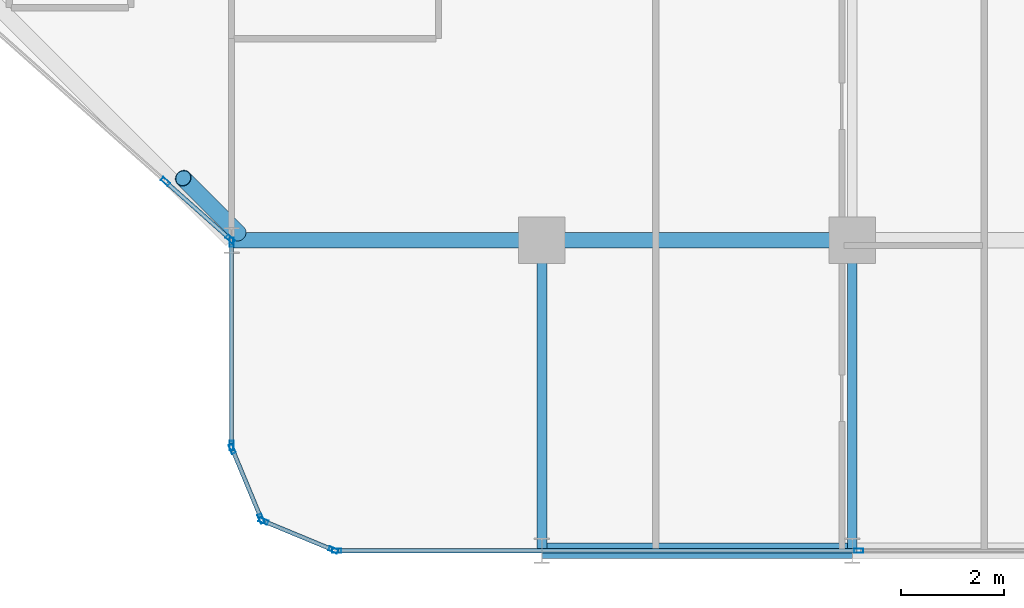
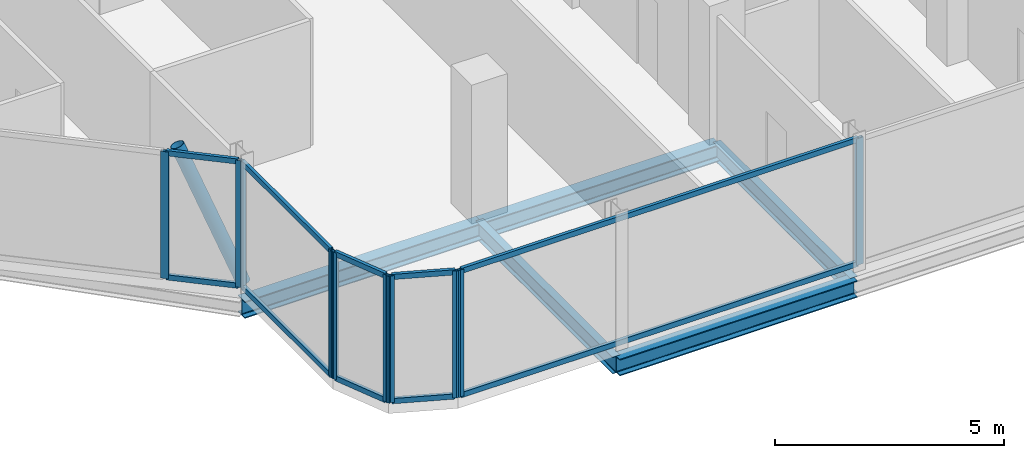
# One storey, part 5 of 32: 21 members, 5 beams, 5 elements without a shape of their own.
"""IFC4 building model written with IfcOpenShell, lengths in metres."""

from ifc_helpers import new_model, si_unit, direction, frame, origin, origin_2d, place, context, subcontext, project, spatial, hollow_rectangle, hollow_circle, i_section, extrude, material, layer, layer_set, material_profile, profile_set, type_object, element, aggregate, save


model = new_model("IFC4")

# Units and contexts
model_context = context("Model", 3, precision=1e-05, world=origin(), true_north=direction((0.0, 1.0)))
body_context = subcontext(model_context, "Body", "Model", "MODEL_VIEW")
ifc_project = project(units=[si_unit("LENGTHUNIT", "METRE"), si_unit("AREAUNIT", "SQUARE_METRE"), si_unit("VOLUMEUNIT", "CUBIC_METRE"), si_unit("PLANEANGLEUNIT", "RADIAN"), si_unit("MASSUNIT", "GRAM", prefix="KILO")], contexts=[model_context])

# Site, building, storey
site_placement = place(None, origin())
site = spatial("IfcSite", under=ifc_project, at=site_placement, CompositionType="ELEMENT")
building_placement = place(site_placement, origin())
building = spatial("IfcBuilding", under=site, at=building_placement, Name="Keshet Zoharim Tower", CompositionType="ELEMENT")
storey_placement = place(building_placement, frame((0.0, 0.0, 152.0)))
storey = spatial("IfcBuildingStorey", under=building, at=storey_placement, Name="L37", CompositionType="ELEMENT", Elevation=152.0)

# Beams
ifc_material_1 = material(Name="Steel S355", Category="steel")
ifc_material_profile_1 = material_profile(ifc_material_1, i_section(OverallWidth=0.18994140625, OverallDepth=0.449951171875, WebThickness=0.009521484375, FlangeThickness=0.0146484375, FilletRadius=0.02099609375, at=origin_2d()), Name="IPE450")
ifc_profile_set_1 = profile_set([ifc_material_profile_1], Name="Steel S355")
beam_type_1 = type_object("IfcBeamType", Name="BM-PRI-IP450", PredefinedType="BEAM", material=ifc_profile_set_1)
for number, where, z_axis, x_axis, name in (
    (1, (27.0, 0.699951171875, -0.5400390625), (0.0, 1.0, 0.0), (-1.0, 0.0, 0.0), "L37 Primary Girder Y-004"),
    (2, (33.0, 0.699951171875, -0.5400390625), (0.0, 1.0, 0.0), (-1.0, 0.0, 0.0), "L37 Primary Girder Y-005"),
):
    element("IfcBeam", number, at=place(storey_placement, frame(where, z_axis=z_axis, x_axis=x_axis)), inside=storey, type_object=beam_type_1, Name=name, PredefinedType="BEAM", context=body_context, shape_type="SweptSolid", body=[
        extrude(i_section(OverallWidth=0.18994140625, OverallDepth=0.449951171875, WebThickness=0.009521484375, FlangeThickness=0.0146484375, FilletRadius=0.02099609375, at=origin_2d()), origin(), (0.0, 0.0, 1.0), 6.0),
    ])
ifc_material_profile_2 = material_profile(ifc_material_1, i_section(OverallWidth=0.300048828125, OverallDepth=0.449951171875, WebThickness=0.013916015625, FlangeThickness=0.02587890625, FilletRadius=0.027099609375, at=origin_2d()), Name="HEB450")
ifc_profile_set_2 = profile_set([ifc_material_profile_2], Name="Steel S355")
beam_type_2 = type_object("IfcBeamType", Name="BM-WEB-HB450", PredefinedType="BEAM", material=ifc_profile_set_2)
for number, where, z_axis, x_axis, name in (
    (3, (27.0, 0.699951171875, -0.5400390625), (1.0, 0.0, 0.0), (0.0, 1.0, 0.0), "L37 Primary Girder X-001"),
    (4, (21.0, 6.699951171875, -0.5400390625), (1.0, 0.0, 0.0), (0.0, 1.0, 0.0), "L37 Primary Girder X-005"),
    (5, (27.0, 6.699951171875, -0.5400390625), (1.0, 0.0, 0.0), (0.0, 1.0, 0.0), "L37 Primary Girder X-006"),
):
    element("IfcBeam", number, at=place(storey_placement, frame(where, z_axis=z_axis, x_axis=x_axis)), inside=storey, type_object=beam_type_2, Name=name, PredefinedType="BEAM", context=body_context, shape_type="SweptSolid", body=[
        extrude(i_section(OverallWidth=0.300048828125, OverallDepth=0.449951171875, WebThickness=0.013916015625, FlangeThickness=0.02587890625, FilletRadius=0.027099609375, at=origin_2d()), origin(), (0.0, 0.0, 1.0), 6.0),
    ])

# Curtain wall, members
ifc_material_2 = material(Name="Aluminium 6063-T6", Category="aluminium")
ifc_layer = layer(ifc_material_2, 0.159912109375)
ifc_layer_set = layer_set([ifc_layer], Name="Aluminium 6063-T6")
curtain_wall_type = type_object("IfcCurtainWallType", Name="CW-SYS-03", PredefinedType="NOTDEFINED", material=ifc_layer_set)
curtain_wall_1_placement = place(storey_placement, origin())
curtain_wall_1 = element("IfcCurtainWall", 6, at=curtain_wall_1_placement, inside=storey, type_object=curtain_wall_type, Name="L37 Unitised Curtain Wall 03 Part 3", PredefinedType="NOTDEFINED")
ifc_material_profile_3 = material_profile(ifc_material_2, hollow_rectangle(XDim=0.080078125, YDim=0.179931640625, WallThickness=0.00439453125, at=origin_2d()), Name="MUL-80x180")
ifc_profile_set_3 = profile_set([ifc_material_profile_3], Name="Aluminium 6063-T6")
member_type_1 = type_object("IfcMemberType", Name="CWM-M18", PredefinedType="MULLION", material=ifc_profile_set_3)
member_1_placement = place(storey_placement, frame((33.1259765625, 0.699951171875, 0.0), z_axis=(0.0, 0.0, 1.0), x_axis=(0.0, -1.0, 0.0)))
member_1 = element("IfcMember", 7, at=member_1_placement, type_object=member_type_1, Name="CW-03 mullion 2", PredefinedType="MULLION", context=body_context, shape_type="SweptSolid", body=[
    extrude(hollow_rectangle(XDim=0.080078125, YDim=0.179931640625, WallThickness=0.00439453125, at=origin_2d()), origin(), (0.0, 0.0, 1.0), 3.385009765625),
])
member_2_placement = place(storey_placement, frame((23.034912109375, 0.699951171875, 0.0), z_axis=(0.0, 0.0, 1.0), x_axis=(0.0, -1.0, 0.0)))
member_2 = element("IfcMember", 8, at=member_2_placement, type_object=member_type_1, Name="CW-03 mullion 3", PredefinedType="MULLION", context=body_context, shape_type="SweptSolid", body=[
    extrude(hollow_rectangle(XDim=0.080078125, YDim=0.179931640625, WallThickness=0.00439453125, at=origin_2d()), origin(), (0.0, 0.0, 1.0), 3.385009765625),
])

curtain_wall_2_placement = place(storey_placement, origin())
curtain_wall_2 = element("IfcCurtainWall", 9, at=curtain_wall_2_placement, inside=storey, type_object=curtain_wall_type, Name="L37 Unitised Curtain Wall 04", PredefinedType="NOTDEFINED")
member_3_placement = place(storey_placement, frame((22.9677734375, 0.71337890625, 0.0), z_axis=(0.0, 0.0, 1.0), x_axis=(-0.382851849847, -0.92380975372, 0.0)))
member_3 = element("IfcMember", 10, at=member_3_placement, type_object=member_type_1, Name="CW-03 mullion 1", PredefinedType="MULLION", context=body_context, shape_type="SweptSolid", body=[
    extrude(hollow_rectangle(XDim=0.080078125, YDim=0.179931640625, WallThickness=0.00439453125, at=origin_2d()), origin(), (0.0, 0.0, 1.0), 3.385009765625),
])
member_4_placement = place(storey_placement, frame((21.618408203125, 1.272705078125, 0.0), z_axis=(0.0, 0.0, 1.0), x_axis=(-0.382851849847, -0.92380975372, 0.0)))
member_4 = element("IfcMember", 11, at=member_4_placement, type_object=member_type_1, Name="CW-03 mullion 2", PredefinedType="MULLION", context=body_context, shape_type="SweptSolid", body=[
    extrude(hollow_rectangle(XDim=0.080078125, YDim=0.179931640625, WallThickness=0.00439453125, at=origin_2d()), origin(), (0.0, 0.0, 1.0), 3.385009765625),
])

curtain_wall_3_placement = place(storey_placement, origin())
curtain_wall_3 = element("IfcCurtainWall", 12, at=curtain_wall_3_placement, inside=storey, type_object=curtain_wall_type, Name="L37 Unitised Curtain Wall 05", PredefinedType="NOTDEFINED")
member_5_placement = place(storey_placement, frame((21.572509765625, 1.318359375, 0.0), z_axis=(0.0, 0.0, 1.0), x_axis=(-0.92380975372, -0.382851849847, 0.0)))
member_5 = element("IfcMember", 13, at=member_5_placement, type_object=member_type_1, Name="CW-03 mullion 1", PredefinedType="MULLION", context=body_context, shape_type="SweptSolid", body=[
    extrude(hollow_rectangle(XDim=0.080078125, YDim=0.179931640625, WallThickness=0.00439453125, at=origin_2d()), origin(), (0.0, 0.0, 1.0), 3.385009765625),
])
member_6_placement = place(storey_placement, frame((21.013427734375, 2.667724609375, 0.0), z_axis=(0.0, 0.0, 1.0), x_axis=(-0.92380975372, -0.382851849847, 0.0)))
member_6 = element("IfcMember", 14, at=member_6_placement, type_object=member_type_1, Name="CW-03 mullion 2", PredefinedType="MULLION", context=body_context, shape_type="SweptSolid", body=[
    extrude(hollow_rectangle(XDim=0.080078125, YDim=0.179931640625, WallThickness=0.00439453125, at=origin_2d()), origin(), (0.0, 0.0, 1.0), 3.385009765625),
])

curtain_wall_4_placement = place(storey_placement, origin())
curtain_wall_4 = element("IfcCurtainWall", 15, at=curtain_wall_4_placement, inside=storey, type_object=curtain_wall_type, Name="L37 Unitised Curtain Wall 06", PredefinedType="NOTDEFINED")
member_7_placement = place(storey_placement, frame((21.0, 2.735107421875, 0.0), z_axis=(0.0, 0.0, 1.0), x_axis=(-1.0, 0.0, 0.0)))
member_7 = element("IfcMember", 16, at=member_7_placement, type_object=member_type_1, Name="CW-03 mullion 1", PredefinedType="MULLION", context=body_context, shape_type="SweptSolid", body=[
    extrude(hollow_rectangle(XDim=0.080078125, YDim=0.179931640625, WallThickness=0.00439453125, at=origin_2d()), origin(), (0.0, 0.0, 1.0), 3.385009765625),
])
member_8_placement = place(storey_placement, frame((21.0, 6.6650390625, 0.0), z_axis=(0.0, 0.0, 1.0), x_axis=(-1.0, 0.0, 0.0)))
member_8 = element("IfcMember", 17, at=member_8_placement, type_object=member_type_1, Name="CW-03 mullion 2", PredefinedType="MULLION", context=body_context, shape_type="SweptSolid", body=[
    extrude(hollow_rectangle(XDim=0.080078125, YDim=0.179931640625, WallThickness=0.00439453125, at=origin_2d()), origin(), (0.0, 0.0, 1.0), 3.385009765625),
])

curtain_wall_5_placement = place(storey_placement, origin())
curtain_wall_5 = element("IfcCurtainWall", 18, at=curtain_wall_5_placement, inside=storey, type_object=curtain_wall_type, Name="L37 Unitised Curtain Wall 07", PredefinedType="NOTDEFINED")
member_9_placement = place(storey_placement, frame((20.973876953125, 6.72314453125, 0.0), z_axis=(0.0, 0.0, 1.0), x_axis=(-0.664367393393, -0.747406159057, 0.0)))
member_9 = element("IfcMember", 19, at=member_9_placement, type_object=member_type_1, Name="CW-03 mullion 1", PredefinedType="MULLION", context=body_context, shape_type="SweptSolid", body=[
    extrude(hollow_rectangle(XDim=0.080078125, YDim=0.179931640625, WallThickness=0.00439453125, at=origin_2d()), origin(), (0.0, 0.0, 1.0), 3.385009765625),
])
member_10_placement = place(storey_placement, frame((19.720947265625, 7.8369140625, 0.0), z_axis=(0.0, 0.0, 1.0), x_axis=(-0.664367393393, -0.747406159057, 0.0)))
member_10 = element("IfcMember", 20, at=member_10_placement, type_object=member_type_1, Name="CW-03 mullion 2", PredefinedType="MULLION", context=body_context, shape_type="SweptSolid", body=[
    extrude(hollow_rectangle(XDim=0.080078125, YDim=0.179931640625, WallThickness=0.00439453125, at=origin_2d()), origin(), (0.0, 0.0, 1.0), 3.385009765625),
])

# Member
ifc_material_profile_4 = material_profile(ifc_material_2, hollow_rectangle(XDim=0.080078125, YDim=0.139892578125, WallThickness=0.00390625, at=origin_2d()), Name="TRN-80x140")
ifc_profile_set_4 = profile_set([ifc_material_profile_4], Name="Aluminium 6063-T6")
member_type_2 = type_object("IfcMemberType", Name="CWT-T14", PredefinedType="USERDEFINED", material=ifc_profile_set_4)
member_11_placement = place(storey_placement, frame((33.091064453125, 0.699951171875, 0.034912109375), z_axis=(-1.0, 0.0, 0.0), x_axis=(0.0, -1.0, 0.0)))
member_11 = element("IfcMember", 21, at=member_11_placement, type_object=member_type_2, Name="CW-03 transom 2.1", ObjectType="TRANSOM", PredefinedType="USERDEFINED", context=body_context, shape_type="SweptSolid", body=[
    extrude(hollow_rectangle(XDim=0.080078125, YDim=0.139892578125, WallThickness=0.00390625, at=origin_2d()), origin(), (0.0, 0.0, 1.0), 10.02099609375),
])

member_12_placement = place(storey_placement, frame((33.091064453125, 0.699951171875, 3.35009765625), z_axis=(-1.0, 0.0, 0.0), x_axis=(0.0, -1.0, 0.0)))
member_12 = element("IfcMember", 22, at=member_12_placement, type_object=member_type_2, Name="CW-03 transom 2.2", ObjectType="TRANSOM", PredefinedType="USERDEFINED", context=body_context, shape_type="SweptSolid", body=[
    extrude(hollow_rectangle(XDim=0.080078125, YDim=0.139892578125, WallThickness=0.00390625, at=origin_2d()), origin(), (0.0, 0.0, 1.0), 10.02099609375),
])

aggregate(curtain_wall_1, [member_1, member_2, member_11, member_12])

member_13_placement = place(storey_placement, frame((22.935302734375, 0.726806640625, 0.034912109375), z_axis=(-0.92379209995, 0.382894445076, 0.0), x_axis=(-0.382894445076, -0.92379209995, 0.0)))
member_13 = element("IfcMember", 23, at=member_13_placement, type_object=member_type_2, Name="CW-03 transom 1.1", ObjectType="TRANSOM", PredefinedType="USERDEFINED", context=body_context, shape_type="SweptSolid", body=[
    extrude(hollow_rectangle(XDim=0.080078125, YDim=0.139892578125, WallThickness=0.00390625, at=origin_2d()), origin(), (0.0, 0.0, 1.0), 1.390625),
])

member_14_placement = place(storey_placement, frame((22.935302734375, 0.726806640625, 3.35009765625), z_axis=(-0.92379209995, 0.382894445076, 0.0), x_axis=(-0.382894445076, -0.92379209995, 0.0)))
member_14 = element("IfcMember", 24, at=member_14_placement, type_object=member_type_2, Name="CW-03 transom 1.2", ObjectType="TRANSOM", PredefinedType="USERDEFINED", context=body_context, shape_type="SweptSolid", body=[
    extrude(hollow_rectangle(XDim=0.080078125, YDim=0.139892578125, WallThickness=0.00390625, at=origin_2d()), origin(), (0.0, 0.0, 1.0), 1.390625),
])

aggregate(curtain_wall_2, [member_3, member_4, member_13, member_14])

member_15_placement = place(storey_placement, frame((21.55908203125, 1.3505859375, 0.034912109375), z_axis=(-0.382744609247, 0.923854189844, 0.0), x_axis=(-0.923854189844, -0.382744609247, 0.0)))
member_15 = element("IfcMember", 25, at=member_15_placement, type_object=member_type_2, Name="CW-03 transom 1.1", ObjectType="TRANSOM", PredefinedType="USERDEFINED", context=body_context, shape_type="SweptSolid", body=[
    extrude(hollow_rectangle(XDim=0.080078125, YDim=0.139892578125, WallThickness=0.00390625, at=origin_2d()), origin(), (0.0, 0.0, 1.0), 1.390625),
])

member_16_placement = place(storey_placement, frame((21.55908203125, 1.3505859375, 3.35009765625), z_axis=(-0.382744609247, 0.923854189844, 0.0), x_axis=(-0.923854189844, -0.382744609247, 0.0)))
member_16 = element("IfcMember", 26, at=member_16_placement, type_object=member_type_2, Name="CW-03 transom 1.2", ObjectType="TRANSOM", PredefinedType="USERDEFINED", context=body_context, shape_type="SweptSolid", body=[
    extrude(hollow_rectangle(XDim=0.080078125, YDim=0.139892578125, WallThickness=0.00390625, at=origin_2d()), origin(), (0.0, 0.0, 1.0), 1.390625),
])

aggregate(curtain_wall_3, [member_5, member_6, member_15, member_16])

member_17_placement = place(storey_placement, frame((21.0, 2.77001953125, 0.034912109375), z_axis=(0.0, 1.0, 0.0), x_axis=(-1.0, 0.0, 0.0)))
member_17 = element("IfcMember", 27, at=member_17_placement, type_object=member_type_2, Name="CW-03 transom 1.1", ObjectType="TRANSOM", PredefinedType="USERDEFINED", context=body_context, shape_type="SweptSolid", body=[
    extrude(hollow_rectangle(XDim=0.080078125, YDim=0.139892578125, WallThickness=0.00390625, at=origin_2d()), origin(), (0.0, 0.0, 1.0), 3.85986328125),
])

member_18_placement = place(storey_placement, frame((21.0, 2.77001953125, 3.35009765625), z_axis=(0.0, 1.0, 0.0), x_axis=(-1.0, 0.0, 0.0)))
member_18 = element("IfcMember", 28, at=member_18_placement, type_object=member_type_2, Name="CW-03 transom 1.2", ObjectType="TRANSOM", PredefinedType="USERDEFINED", context=body_context, shape_type="SweptSolid", body=[
    extrude(hollow_rectangle(XDim=0.080078125, YDim=0.139892578125, WallThickness=0.00390625, at=origin_2d()), origin(), (0.0, 0.0, 1.0), 3.85986328125),
])

aggregate(curtain_wall_4, [member_7, member_8, member_17, member_18])

member_19_placement = place(storey_placement, frame((20.94775390625, 6.74658203125, 0.034912109375), z_axis=(-0.747459638873, 0.664307224299, 0.0), x_axis=(-0.664307224299, -0.747459638873, 0.0)))
member_19 = element("IfcMember", 29, at=member_19_placement, type_object=member_type_2, Name="CW-03 transom 1.1", ObjectType="TRANSOM", PredefinedType="USERDEFINED", context=body_context, shape_type="SweptSolid", body=[
    extrude(hollow_rectangle(XDim=0.080078125, YDim=0.139892578125, WallThickness=0.00390625, at=origin_2d()), origin(), (0.0, 0.0, 1.0), 1.60595703125),
])

member_20_placement = place(storey_placement, frame((20.94775390625, 6.74658203125, 3.35009765625), z_axis=(-0.747459638873, 0.664307224299, 0.0), x_axis=(-0.664307224299, -0.747459638873, 0.0)))
member_20 = element("IfcMember", 30, at=member_20_placement, type_object=member_type_2, Name="CW-03 transom 1.2", ObjectType="TRANSOM", PredefinedType="USERDEFINED", context=body_context, shape_type="SweptSolid", body=[
    extrude(hollow_rectangle(XDim=0.080078125, YDim=0.139892578125, WallThickness=0.00390625, at=origin_2d()), origin(), (0.0, 0.0, 1.0), 1.60595703125),
])

aggregate(curtain_wall_5, [member_9, member_10, member_19, member_20])

ifc_material_profile_5 = material_profile(ifc_material_1, hollow_circle(Radius=0.161865234375, WallThickness=0.012451171875, at=origin_2d()), Name="CHS323x12.5")
ifc_profile_set_5 = profile_set([ifc_material_profile_5], Name="Steel S355")
member_type_3 = type_object("IfcMemberType", Name="MB-BR-C323", PredefinedType="BRACE", material=ifc_profile_set_5)
member_21_placement = place(storey_placement, frame((21.1259765625, 6.842041015625, 0.0), z_axis=(-0.286558246199, 0.286558246199, 0.914203884848), x_axis=(-0.707106781187, -0.707106781187, 0.0)))
element("IfcMember", 31, at=member_21_placement, inside=storey, type_object=member_type_3, Name="L37 Perimeter Tube Brace 01", PredefinedType="BRACE", context=body_context, shape_type="SweptSolid", body=[
    extrude(hollow_circle(Radius=0.161865234375, WallThickness=0.012451171875, at=origin_2d()), origin(), (0.0, 0.0, 1.0), 3.70263671875),
])

save(model, "model.ifc")
